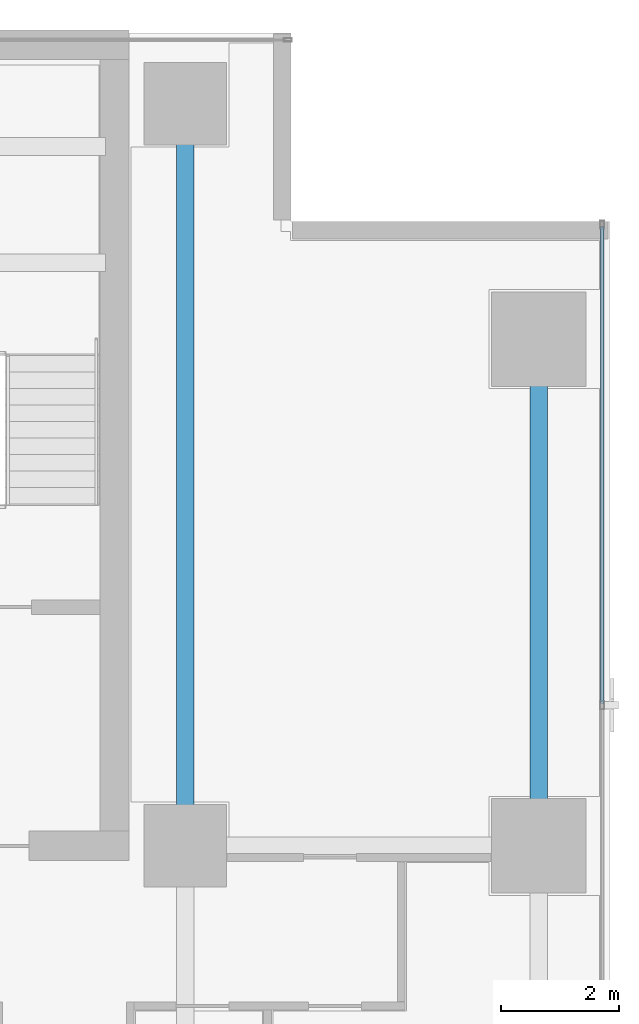
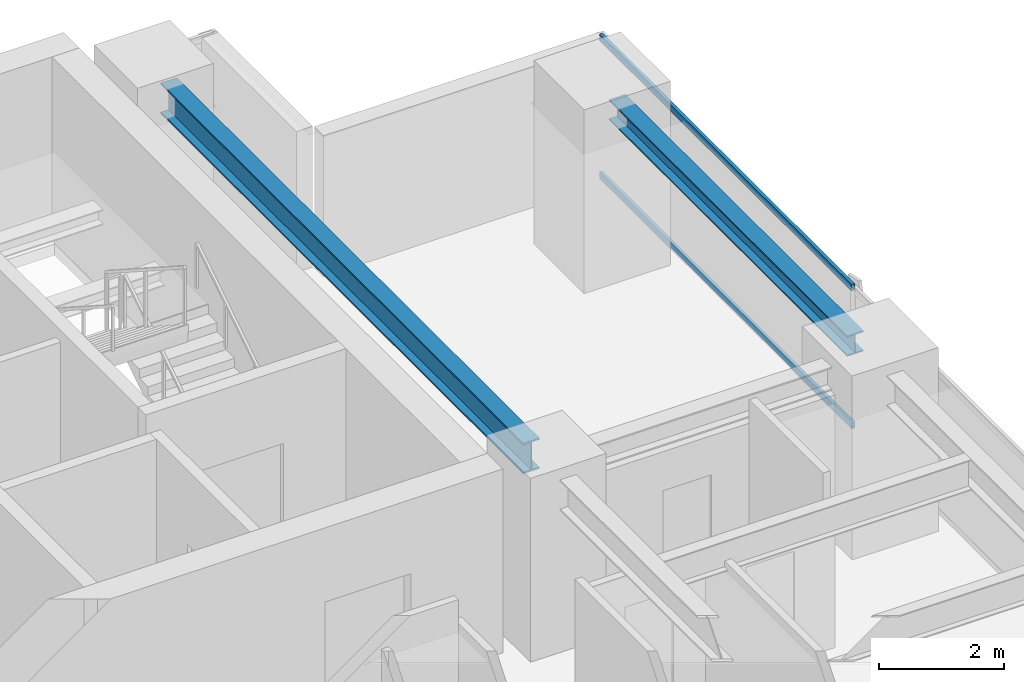
# One storey, part 18 of 30: 2 beams, 2 members, 1 element without a shape of its own.
"""IFC4 building model written with IfcOpenShell, lengths in metres."""

from ifc_helpers import new_model, si_unit, direction, frame, origin, origin_2d, place, context, subcontext, project, spatial, hollow_rectangle, i_section, extrude, source, transform, mapped, material, layer, layer_set, material_profile, profile_set, type_object, element, aggregate, save


model = new_model("IFC4")

# Units and contexts
model_context = context("Model", 3, precision=1e-05, world=origin(), true_north=direction((0.0, 1.0)))
body_context = subcontext(model_context, "Body", "Model", "MODEL_VIEW")
ifc_project = project(units=[si_unit("LENGTHUNIT", "METRE"), si_unit("AREAUNIT", "SQUARE_METRE"), si_unit("VOLUMEUNIT", "CUBIC_METRE"), si_unit("PLANEANGLEUNIT", "RADIAN"), si_unit("MASSUNIT", "GRAM", prefix="KILO")], contexts=[model_context])

# Site, building, storey
site_placement = place(None, origin())
site = spatial("IfcSite", under=ifc_project, at=site_placement, CompositionType="ELEMENT")
building_placement = place(site_placement, origin())
building = spatial("IfcBuilding", under=site, at=building_placement, Name="Sumidabori Civic Tower", CompositionType="ELEMENT")
storey_placement = place(building_placement, frame((0.0, 0.0, 200.0)))
storey = spatial("IfcBuildingStorey", under=building, at=storey_placement, Name="L51", CompositionType="ELEMENT", Elevation=200.0)

# Beams
ifc_material_1 = material(Name="Steel SN490", Category="steel")
ifc_material_profile_1 = material_profile(ifc_material_1, i_section(OverallWidth=0.300048828125, OverallDepth=0.39990234375, WebThickness=0.013427734375, FlangeThickness=0.02392578125, at=origin_2d()), Name="HE 400 B")
ifc_profile_set_1 = profile_set([ifc_material_profile_1], Name="Steel SN490")
beam_type_1 = type_object("IfcBeamType", Name="BM-GIRD-400", PredefinedType="BEAM", material=ifc_profile_set_1)
shared_shape_1 = source(origin(), body_context, "Body", "SweptSolid", [
    extrude(i_section(OverallWidth=0.300048828125, OverallDepth=0.39990234375, WebThickness=0.013427734375, FlangeThickness=0.02392578125, at=origin_2d()), origin(), (0.0, 0.0, 1.0), 7.64013671875),
])
beam_1_placement = place(storey_placement, frame((22.800048828125, 10.679931640625, 3.179931640625), z_axis=(0.0, 1.0, 0.0), x_axis=(-1.0, 0.0, 0.0)))
element("IfcBeam", 1, at=beam_1_placement, inside=storey, type_object=beam_type_1, Name="Primary Girder L51 GY-24", PredefinedType="BEAM", context=body_context, shape_type="MappedRepresentation", body=[
    mapped(shared_shape_1, transform((0.0, 0.0, 0.0), x_axis=(1.0, 0.0, 0.0), y_axis=(0.0, 1.0, 0.0), z_axis=(0.0, 0.0, 1.0), scale=1.0)),
])
ifc_material_profile_2 = material_profile(ifc_material_1, i_section(OverallWidth=0.300048828125, OverallDepth=0.60009765625, WebThickness=0.015380859375, FlangeThickness=0.030029296875, at=origin_2d()), Name="HE 600 B")
ifc_profile_set_2 = profile_set([ifc_material_profile_2], Name="Steel SN490")
beam_type_2 = type_object("IfcBeamType", Name="BM-GIRD-600", PredefinedType="BEAM", material=ifc_profile_set_2)
shared_shape_2 = source(origin(), body_context, "Body", "SweptSolid", [
    extrude(i_section(OverallWidth=0.300048828125, OverallDepth=0.60009765625, WebThickness=0.015380859375, FlangeThickness=0.030029296875, at=origin_2d()), origin(), (0.0, 0.0, 1.0), 11.64013671875),
])
beam_2_placement = place(storey_placement, frame((16.800048828125, 10.679931640625, 3.080078125), z_axis=(0.0, 1.0, 0.0), x_axis=(-1.0, 0.0, 0.0)))
element("IfcBeam", 2, at=beam_2_placement, inside=storey, type_object=beam_type_2, Name="Primary Girder L51 GY-21", PredefinedType="BEAM", context=body_context, shape_type="MappedRepresentation", body=[
    mapped(shared_shape_2, transform((0.0, 0.0, 0.0), x_axis=(1.0, 0.0, 0.0), y_axis=(0.0, 1.0, 0.0), z_axis=(0.0, 0.0, 1.0), scale=1.0)),
])

# Curtain wall, members
ifc_material_2 = material(Name="Anodised Bronze Aluminium AW-6063-T6", Category="aluminium")
ifc_layer = layer(ifc_material_2, 0.179931640625, Name="Anodised Bronze Aluminium AW-6063-T6")
ifc_layer_set = layer_set([ifc_layer], Name="Anodised Bronze Aluminium AW-6063-T6")
curtain_wall_type = type_object("IfcCurtainWallType", Name="CW-SYS-5", PredefinedType="NOTDEFINED", material=ifc_layer_set)
curtain_wall_placement = place(storey_placement, origin())
curtain_wall = element("IfcCurtainWall", 3, at=curtain_wall_placement, inside=storey, type_object=curtain_wall_type, Name="Curtain Wall CW:L51:R10", PredefinedType="NOTDEFINED")
ifc_material_profile_3 = material_profile(ifc_material_2, hollow_rectangle(XDim=0.06005859375, YDim=0.1298828125, WallThickness=0.0048828125, at=origin_2d()), Name="ALU TRANSOM 130x60")
ifc_profile_set_3 = profile_set([ifc_material_profile_3], Name="Anodised Bronze Aluminium AW-6063-T6")
member_type = type_object("IfcMemberType", Name="CW-TRN-130", PredefinedType="USERDEFINED", material=ifc_profile_set_3)
shared_shape_3 = source(origin(), body_context, "Body", "SweptSolid", [
    extrude(hollow_rectangle(XDim=0.06005859375, YDim=0.1298828125, WallThickness=0.0048828125, at=origin_2d()), origin(), (0.0, 0.0, 1.0), 8.094970703125),
])
member_1_placement = place(storey_placement, frame((23.8798828125, 12.614990234375, 0.030029296875), z_axis=(0.0, 1.0, 0.0), x_axis=(-1.0, 0.0, 0.0)))
member_1 = element("IfcMember", 4, at=member_1_placement, type_object=member_type, Name="CW-5 transom 4.1", ObjectType="TRANSOM", PredefinedType="USERDEFINED", context=body_context, shape_type="MappedRepresentation", body=[
    mapped(shared_shape_3, transform((0.0, 0.0, 0.0), x_axis=(1.0, 0.0, 0.0), y_axis=(0.0, 1.0, 0.0), z_axis=(0.0, 0.0, 1.0), scale=1.0)),
])
member_2_placement = place(storey_placement, frame((23.8798828125, 12.614990234375, 2.72998046875), z_axis=(0.0, 1.0, 0.0), x_axis=(-1.0, 0.0, 0.0)))
member_2 = element("IfcMember", 5, at=member_2_placement, type_object=member_type, Name="CW-5 transom 4.2", ObjectType="TRANSOM", PredefinedType="USERDEFINED", context=body_context, shape_type="MappedRepresentation", body=[
    mapped(shared_shape_3, transform((0.0, 0.0, 0.0), x_axis=(1.0, 0.0, 0.0), y_axis=(0.0, 1.0, 0.0), z_axis=(0.0, 0.0, 1.0), scale=1.0)),
])
aggregate(curtain_wall, [member_1, member_2])

save(model, "model.ifc")
